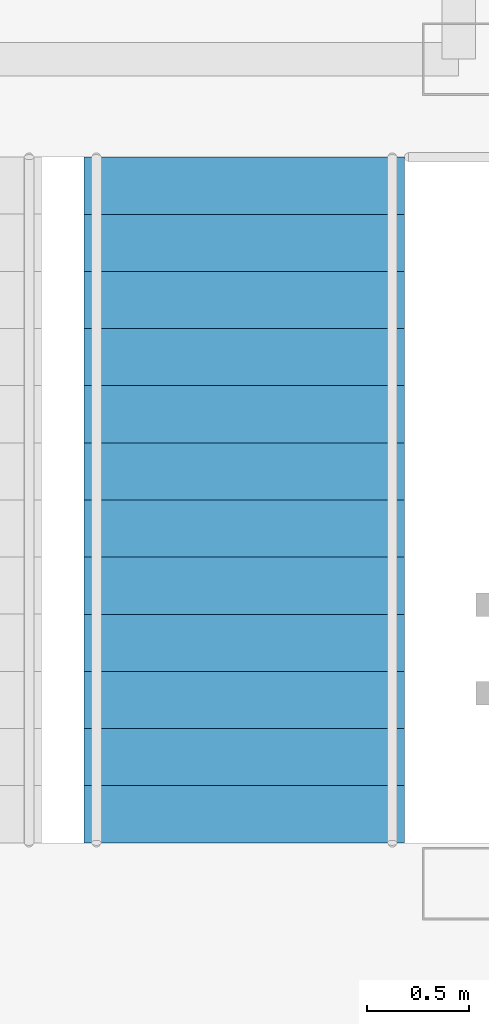
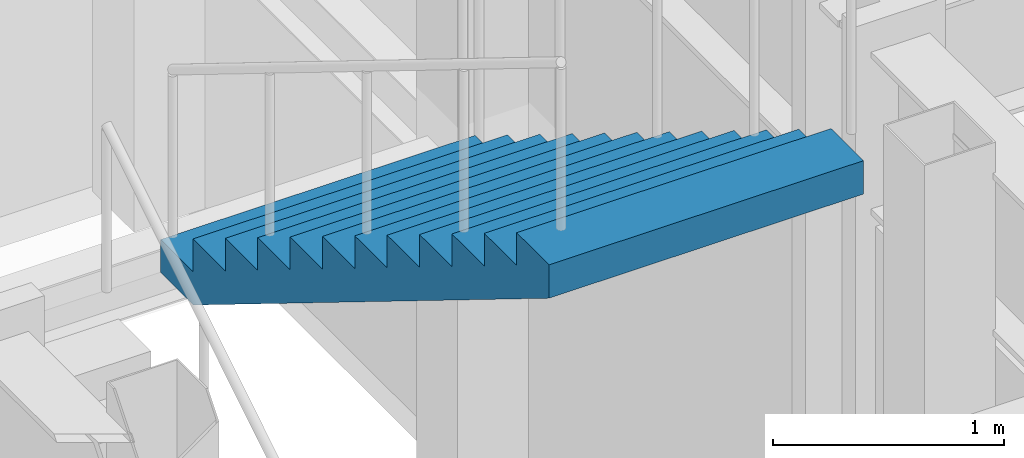
# One storey, part 13 of 24: 1 stair flight, 1 element without a shape of its own.
"""IFC4 building model written with IfcOpenShell, lengths in metres."""

from ifc_helpers import new_model, si_unit, direction, frame, origin, place, context, subcontext, project, spatial, faceted_brep, material, type_object, element, aggregate, save


model = new_model("IFC4")

# Units and contexts
model_context = context("Model", 3, precision=1e-05, world=origin(), true_north=direction((0.0, 1.0)))
body_context = subcontext(model_context, "Body", "Model", "MODEL_VIEW")
ifc_project = project(units=[si_unit("LENGTHUNIT", "METRE"), si_unit("AREAUNIT", "SQUARE_METRE"), si_unit("VOLUMEUNIT", "CUBIC_METRE"), si_unit("PLANEANGLEUNIT", "RADIAN"), si_unit("MASSUNIT", "GRAM", prefix="KILO")], contexts=[model_context])

# Site, building, storey
site_placement = place(None, origin())
site = spatial("IfcSite", under=ifc_project, at=site_placement, CompositionType="ELEMENT")
building_placement = place(site_placement, origin())
building = spatial("IfcBuilding", under=site, at=building_placement, Name="Chuquiago Exchange Tower", CompositionType="ELEMENT")
storey_placement = place(building_placement, frame((0.0, 0.0, 257.699951171875)))
storey = spatial("IfcBuildingStorey", under=building, at=storey_placement, Name="L57", CompositionType="ELEMENT", Elevation=257.699951171875)

# Stair, stair flight
ifc_material_1 = material(Name="Concrete C30/37, precast", Category="concrete")
stair_type = type_object("IfcStairType", Name="ST2 half-turn stair 4500", PredefinedType="HALF_TURN_STAIR", material=ifc_material_1)
stair_placement = place(storey_placement, origin())
stair = element("IfcStair", 1, at=stair_placement, inside=storey, type_object=stair_type, Name="Stair ST2 L57", PredefinedType="HALF_TURN_STAIR")
ifc_material_2 = material(Name="Concrete C30/37, precast", Category="concrete")
stair_flight_type = type_object("IfcStairFlightType", Name="ST-F flight 1570 for 4500 storey", PredefinedType="STRAIGHT", material=ifc_material_2)
stair_flight_placement = place(storey_placement, frame((31.639892578125, 26.409912109375, 2.25), z_axis=(0.0, 0.0, 1.0), x_axis=(0.0, -1.0, 0.0)))
stair_flight = element("IfcStairFlight", 2, at=stair_flight_placement, type_object=stair_flight_type, Name="ST2 flight 2", NumberOfRisers=13, NumberOfTreads=12, PredefinedType="STRAIGHT", RiserHeight=0.173076923, TreadLength=0.28, context=body_context, shape_type="Brep", body=[
    faceted_brep([(0.0, 0.78515625, 0.0), (0.0, 0.78515625, 0.173095703125), (0.280029296875, 0.78515625, 0.173095703125), (0.280029296875, 0.78515625, 0.34619140625), (0.56005859375, 0.78515625, 0.34619140625), (0.56005859375, 0.78515625, 0.519287109375), (0.840087890625, 0.78515625, 0.519287109375), (0.840087890625, 0.78515625, 0.6923828125), (1.1201171875, 0.78515625, 0.6923828125), (1.1201171875, 0.78515625, 0.865478515625), (1.39990234375, 0.78515625, 0.865478515625), (1.39990234375, 0.78515625, 1.03857421875), (1.679931640625, 0.78515625, 1.03857421875), (1.679931640625, 0.78515625, 1.21142578125), (1.9599609375, 0.78515625, 1.21142578125), (1.9599609375, 0.78515625, 1.384521484375), (2.239990234375, 0.78515625, 1.384521484375), (2.239990234375, 0.78515625, 1.5576171875), (2.52001953125, 0.78515625, 1.5576171875), (2.52001953125, 0.78515625, 1.730712890625), (2.800048828125, 0.78515625, 1.730712890625), (2.800048828125, 0.78515625, 1.90380859375), (3.080078125, 0.78515625, 1.90380859375), (3.080078125, 0.78515625, 2.076904296875), (3.360107421875, 0.78515625, 2.076904296875), (3.360107421875, 0.78515625, 1.900634765625), (0.28515625, 0.78515625, 0.0), (0.28515625, -0.78515625, 0.0), (3.360107421875, -0.78515625, 1.900634765625), (3.360107421875, -0.78515625, 2.076904296875), (3.080078125, -0.78515625, 2.076904296875), (3.080078125, -0.78515625, 1.90380859375), (2.800048828125, -0.78515625, 1.90380859375), (2.800048828125, -0.78515625, 1.730712890625), (2.52001953125, -0.78515625, 1.730712890625), (2.52001953125, -0.78515625, 1.5576171875), (2.239990234375, -0.78515625, 1.5576171875), (2.239990234375, -0.78515625, 1.384521484375), (1.9599609375, -0.78515625, 1.384521484375), (1.9599609375, -0.78515625, 1.21142578125), (1.679931640625, -0.78515625, 1.21142578125), (1.679931640625, -0.78515625, 1.03857421875), (1.39990234375, -0.78515625, 1.03857421875), (1.39990234375, -0.78515625, 0.865478515625), (1.1201171875, -0.78515625, 0.865478515625), (1.1201171875, -0.78515625, 0.6923828125), (0.840087890625, -0.78515625, 0.6923828125), (0.840087890625, -0.78515625, 0.519287109375), (0.56005859375, -0.78515625, 0.519287109375), (0.56005859375, -0.78515625, 0.34619140625), (0.280029296875, -0.78515625, 0.34619140625), (0.280029296875, -0.78515625, 0.173095703125), (0.0, -0.78515625, 0.173095703125), (0.0, -0.78515625, 0.0), (0.0, 0.392578125, 0.0), (0.0, 0.392578125, 0.173095703125), (0.0, 0.0, 0.0), (0.0, 0.0, 0.173095703125), (0.0, -0.392578125, 0.0), (0.0, -0.392578125, 0.173095703125), (0.280029296875, 0.392578125, 0.173095703125), (0.280029296875, 0.0, 0.173095703125), (0.280029296875, -0.392578125, 0.173095703125), (0.280029296875, 0.392578125, 0.34619140625), (0.280029296875, 0.0, 0.34619140625), (0.280029296875, -0.392578125, 0.34619140625), (0.56005859375, 0.392578125, 0.34619140625), (0.56005859375, 0.0, 0.34619140625), (0.56005859375, -0.392578125, 0.34619140625), (0.56005859375, 0.392578125, 0.519287109375), (0.56005859375, 0.0, 0.519287109375), (0.56005859375, -0.392578125, 0.519287109375), (0.840087890625, 0.392578125, 0.519287109375), (0.840087890625, 0.0, 0.519287109375), (0.840087890625, -0.392578125, 0.519287109375), (0.840087890625, 0.392578125, 0.6923828125), (0.840087890625, 0.0, 0.6923828125), (0.840087890625, -0.392578125, 0.6923828125), (1.1201171875, 0.392578125, 0.6923828125), (1.1201171875, 0.0, 0.6923828125), (1.1201171875, -0.392578125, 0.6923828125), (1.1201171875, 0.392578125, 0.865478515625), (1.1201171875, 0.0, 0.865478515625), (1.1201171875, -0.392578125, 0.865478515625), (1.39990234375, 0.392578125, 0.865478515625), (1.39990234375, 0.0, 0.865478515625), (1.39990234375, -0.392578125, 0.865478515625), (1.39990234375, 0.392578125, 1.03857421875), (1.39990234375, 0.0, 1.03857421875), (1.39990234375, -0.392578125, 1.03857421875), (1.679931640625, 0.392578125, 1.03857421875), (1.679931640625, 0.0, 1.03857421875), (1.679931640625, -0.392578125, 1.03857421875), (1.679931640625, 0.392578125, 1.21142578125), (1.679931640625, 0.0, 1.21142578125), (1.679931640625, -0.392578125, 1.21142578125), (1.9599609375, 0.392578125, 1.21142578125), (1.9599609375, 0.0, 1.21142578125), (1.9599609375, -0.392578125, 1.21142578125), (1.9599609375, 0.392578125, 1.384521484375), (1.9599609375, 0.0, 1.384521484375), (1.9599609375, -0.392578125, 1.384521484375), (2.239990234375, 0.392578125, 1.384521484375), (2.239990234375, 0.0, 1.384521484375), (2.239990234375, -0.392578125, 1.384521484375), (2.239990234375, 0.392578125, 1.5576171875), (2.239990234375, 0.0, 1.5576171875), (2.239990234375, -0.392578125, 1.5576171875), (2.52001953125, 0.392578125, 1.5576171875), (2.52001953125, 0.0, 1.5576171875), (2.52001953125, -0.392578125, 1.5576171875), (2.52001953125, 0.392578125, 1.730712890625), (2.52001953125, 0.0, 1.730712890625), (2.52001953125, -0.392578125, 1.730712890625), (2.800048828125, 0.392578125, 1.730712890625), (2.800048828125, 0.0, 1.730712890625), (2.800048828125, -0.392578125, 1.730712890625), (2.800048828125, 0.392578125, 1.90380859375), (2.800048828125, 0.0, 1.90380859375), (2.800048828125, -0.392578125, 1.90380859375), (3.080078125, 0.392578125, 1.90380859375), (3.080078125, 0.0, 1.90380859375), (3.080078125, -0.392578125, 1.90380859375), (3.080078125, 0.392578125, 2.076904296875), (3.080078125, 0.0, 2.076904296875), (3.080078125, -0.392578125, 2.076904296875), (3.360107421875, 0.392578125, 2.076904296875), (3.360107421875, 0.0, 2.076904296875), (3.360107421875, -0.392578125, 2.076904296875), (3.360107421875, 0.392578125, 1.900634765625), (3.360107421875, 0.0, 1.900634765625), (3.360107421875, -0.392578125, 1.900634765625), (0.28515625, 0.392578125, 0.0), (0.28515625, 0.0, 0.0), (0.28515625, -0.392578125, 0.0)], [[[0, 1, 2, 3, 4, 5, 6, 7, 8, 9, 10, 11, 12, 13, 14, 15, 16, 17, 18, 19, 20, 21, 22, 23, 24, 25, 26]], [[27, 28, 29, 30, 31, 32, 33, 34, 35, 36, 37, 38, 39, 40, 41, 42, 43, 44, 45, 46, 47, 48, 49, 50, 51, 52, 53]], [[1, 0, 54, 55]], [[55, 54, 56, 57]], [[57, 56, 58, 59]], [[59, 58, 53, 52]], [[2, 1, 55, 60]], [[60, 55, 57, 61]], [[61, 57, 59, 62]], [[62, 59, 52, 51]], [[3, 2, 60, 63]], [[63, 60, 61, 64]], [[64, 61, 62, 65]], [[65, 62, 51, 50]], [[4, 3, 63, 66]], [[66, 63, 64, 67]], [[67, 64, 65, 68]], [[68, 65, 50, 49]], [[5, 4, 66, 69]], [[69, 66, 67, 70]], [[70, 67, 68, 71]], [[71, 68, 49, 48]], [[6, 5, 69, 72]], [[72, 69, 70, 73]], [[73, 70, 71, 74]], [[74, 71, 48, 47]], [[7, 6, 72, 75]], [[75, 72, 73, 76]], [[76, 73, 74, 77]], [[77, 74, 47, 46]], [[8, 7, 75, 78]], [[78, 75, 76, 79]], [[79, 76, 77, 80]], [[80, 77, 46, 45]], [[9, 8, 78, 81]], [[81, 78, 79, 82]], [[82, 79, 80, 83]], [[83, 80, 45, 44]], [[10, 9, 81, 84]], [[84, 81, 82, 85]], [[85, 82, 83, 86]], [[86, 83, 44, 43]], [[11, 10, 84, 87]], [[87, 84, 85, 88]], [[88, 85, 86, 89]], [[89, 86, 43, 42]], [[12, 11, 87, 90]], [[90, 87, 88, 91]], [[91, 88, 89, 92]], [[92, 89, 42, 41]], [[13, 12, 90, 93]], [[93, 90, 91, 94]], [[94, 91, 92, 95]], [[95, 92, 41, 40]], [[14, 13, 93, 96]], [[96, 93, 94, 97]], [[97, 94, 95, 98]], [[98, 95, 40, 39]], [[15, 14, 96, 99]], [[99, 96, 97, 100]], [[100, 97, 98, 101]], [[101, 98, 39, 38]], [[16, 15, 99, 102]], [[102, 99, 100, 103]], [[103, 100, 101, 104]], [[104, 101, 38, 37]], [[17, 16, 102, 105]], [[105, 102, 103, 106]], [[106, 103, 104, 107]], [[107, 104, 37, 36]], [[18, 17, 105, 108]], [[108, 105, 106, 109]], [[109, 106, 107, 110]], [[110, 107, 36, 35]], [[19, 18, 108, 111]], [[111, 108, 109, 112]], [[112, 109, 110, 113]], [[113, 110, 35, 34]], [[20, 19, 111, 114]], [[114, 111, 112, 115]], [[115, 112, 113, 116]], [[116, 113, 34, 33]], [[21, 20, 114, 117]], [[117, 114, 115, 118]], [[118, 115, 116, 119]], [[119, 116, 33, 32]], [[22, 21, 117, 120]], [[120, 117, 118, 121]], [[121, 118, 119, 122]], [[122, 119, 32, 31]], [[23, 22, 120, 123]], [[123, 120, 121, 124]], [[124, 121, 122, 125]], [[125, 122, 31, 30]], [[24, 23, 123, 126]], [[126, 123, 124, 127]], [[127, 124, 125, 128]], [[128, 125, 30, 29]], [[25, 24, 126, 129]], [[129, 126, 127, 130]], [[130, 127, 128, 131]], [[131, 128, 29, 28]], [[26, 25, 129, 132]], [[132, 129, 130, 133]], [[133, 130, 131, 134]], [[134, 131, 28, 27]], [[0, 26, 132, 54]], [[54, 132, 133, 56]], [[56, 133, 134, 58]], [[58, 134, 27, 53]]]),
])
aggregate(stair, [stair_flight])

save(model, "model.ifc")
